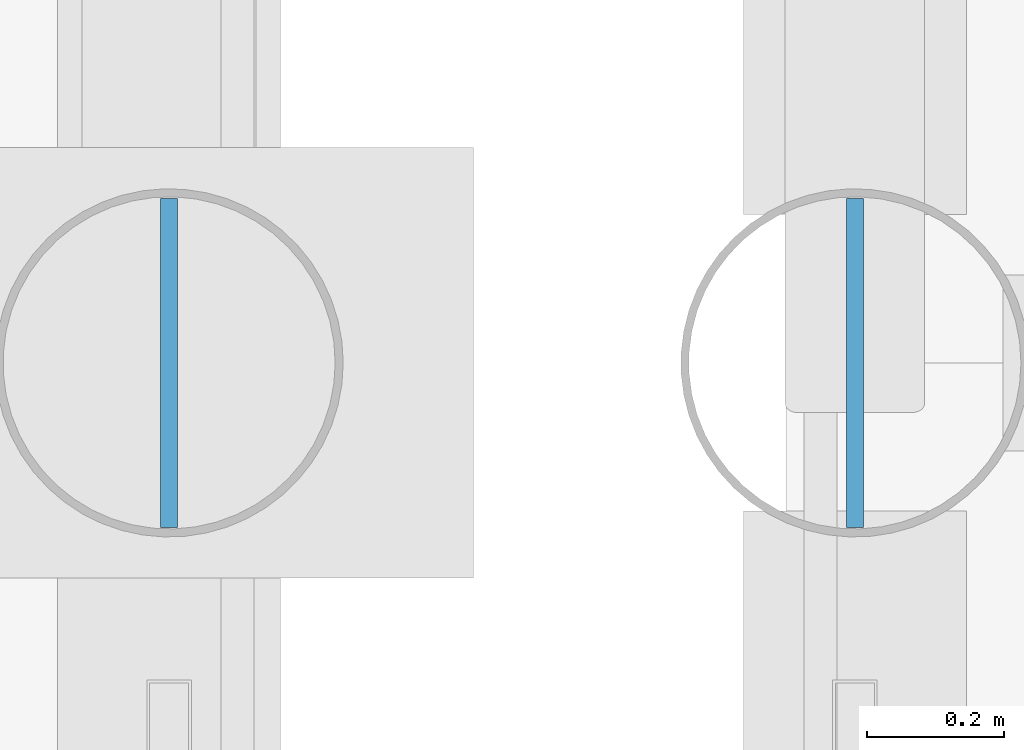
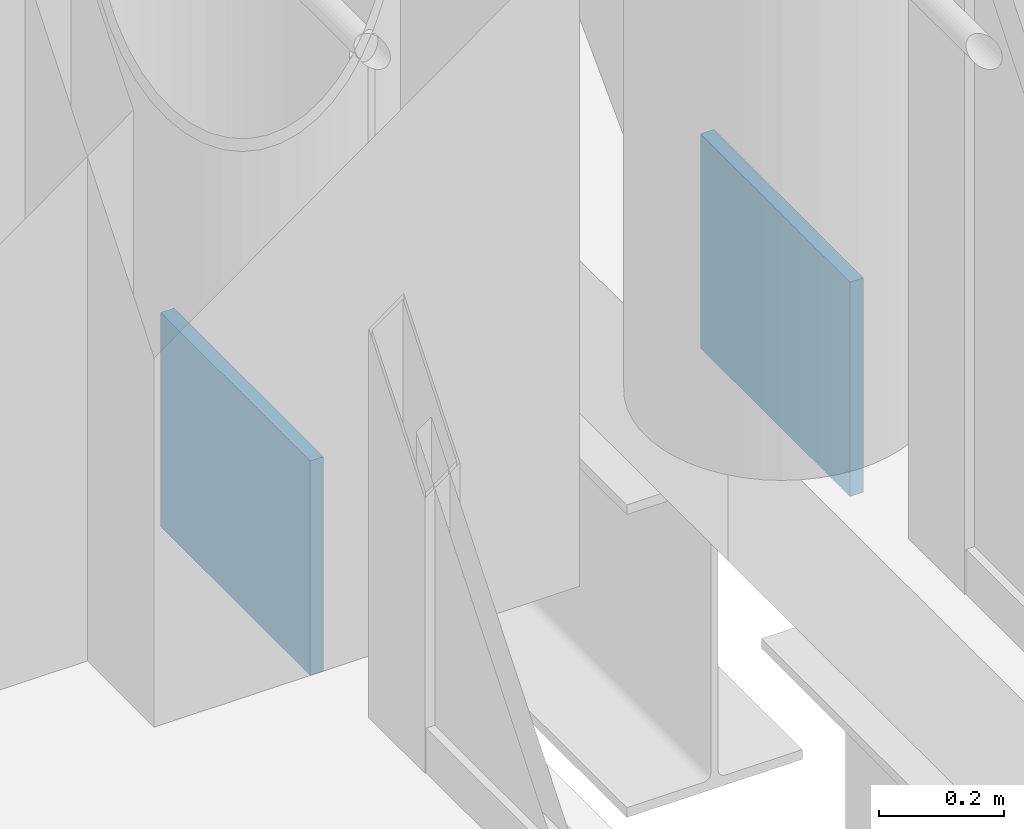
# One storey, part 113 of 156: 2 plates.
"""IFC4 building model written with IfcOpenShell, lengths in metres."""

import ifcopenshell
import ifcopenshell.guid

model = None  # the IFC model being written
_history = None  # IfcOwnerHistory: only IFC2X3 demands one
_inside = {}  # id of a spatial element -> (the spatial element, [elements in it])
_under = {}  # id of a project, library or spatial element -> (it, [spatial elements below it])
_declared = {}  # id of a project -> (the project, [libraries it declares])
_typed = {}  # id of a type object -> (the type object, [elements of that type])
_made_of = {}  # id of a material, layer set ... -> (it, [elements and type objects made of it])


def new_model(schema):
    """Start an empty IFC model of exactly this schema.

    Asked for "IFC4X3", IfcOpenShell would pick the latest addendum, in which some entities
    have other attributes; the version numbers below select the first issue.
    IFC2X3 requires an IfcOwnerHistory on every rooted entity: one is made here for all.
    """
    global model, _history
    if schema == "IFC4X3":
        model = ifcopenshell.file(schema_version=(4, 3, 0, 0))
    else:
        model = ifcopenshell.file(schema=schema)
    _inside.clear()
    _under.clear()
    _declared.clear()
    _typed.clear()
    _made_of.clear()
    _history = None
    if model.schema == "IFC2X3":
        org = make("IfcOrganization", Name="unknown")
        user = make(
            "IfcPersonAndOrganization",
            ThePerson=make("IfcPerson", FamilyName="unknown"),
            TheOrganization=org,
        )
        app = make(
            "IfcApplication",
            ApplicationDeveloper=org,
            Version="unknown",
            ApplicationFullName="unknown",
            ApplicationIdentifier="unknown",
        )
        _history = make(
            "IfcOwnerHistory",
            OwningUser=user,
            OwningApplication=app,
            ChangeAction="ADDED",
            CreationDate=0,
        )
    return model


def make(cls, **values):
    """One entity of the class cls with the attributes given. An attribute that is None is left unset."""
    return model.create_entity(
        cls, **{name: value for name, value in values.items() if value is not None}
    )


def rooted(cls, **values):
    """An entity with a GlobalId (a new one), such as an element, a storey or a relation."""
    return make(cls, GlobalId=ifcopenshell.guid.new(), OwnerHistory=_history, **values)


def si_unit(unit_type, name, prefix=None):
    """IfcSIUnit, for example si_unit("LENGTHUNIT", "METRE", prefix="MILLI")."""
    return make("IfcSIUnit", UnitType=unit_type, Prefix=prefix, Name=name)


def assignment(units):
    """IfcUnitAssignment: the units of a project."""
    return None if units is None else make("IfcUnitAssignment", Units=units)


def point(xyz):
    """IfcCartesianPoint."""
    return None if xyz is None else make("IfcCartesianPoint", Coordinates=xyz)


def direction(xyz):
    """IfcDirection."""
    return None if xyz is None else make("IfcDirection", DirectionRatios=xyz)


def frame(location, z_axis=None, x_axis=None):
    """IfcAxis2Placement3D, a coordinate frame: its origin and axes. An axis left out is left unset."""
    return make(
        "IfcAxis2Placement3D",
        Location=point(location),
        Axis=direction(z_axis),
        RefDirection=direction(x_axis),
    )


def frame_2d(location, x_axis=None):
    """IfcAxis2Placement2D, a coordinate frame in the plane: its origin and x axis."""
    return make(
        "IfcAxis2Placement2D", Location=point(location), RefDirection=direction(x_axis)
    )


def origin():
    """The frame at (0, 0, 0) with its axes left unset."""
    return frame((0.0, 0.0, 0.0))


def origin_2d():
    """The frame at (0, 0) in the plane with its x axis left unset."""
    return frame_2d((0.0, 0.0))


def place(relative_to, where):
    """IfcLocalPlacement: puts the frame where relative to a parent placement (None: the world)."""
    return make(
        "IfcLocalPlacement", PlacementRelTo=relative_to, RelativePlacement=where
    )


def context(
    kind, dimensions, precision=None, world=None, true_north=None, identifier=None
):
    """IfcGeometricRepresentationContext, for example the 3D "Model" context."""
    return make(
        "IfcGeometricRepresentationContext",
        ContextIdentifier=identifier,
        ContextType=kind,
        CoordinateSpaceDimension=dimensions,
        Precision=precision,
        WorldCoordinateSystem=world,
        TrueNorth=true_north,
    )


def subcontext(parent, identifier, kind, view, scale=None):
    """IfcGeometricRepresentationSubContext, for example "Body" below "Model"."""
    return make(
        "IfcGeometricRepresentationSubContext",
        ContextIdentifier=identifier,
        ContextType=kind,
        ParentContext=parent,
        TargetScale=scale,
        TargetView=view,
    )


def project(units=None, contexts=None):
    """IfcProject with its units and contexts."""
    return rooted(
        "IfcProject",
        Name="project",
        RepresentationContexts=contexts,
        UnitsInContext=assignment(units),
    )


def spatial(cls, under=None, at=None, **own):
    """A site, building, storey or space (cls), placed at a placement, below another one or the project."""
    s = rooted(cls, ObjectPlacement=at, **own)
    if under is not None:
        _under.setdefault(under.id(), (under, []))[1].append(s)
    return s


def profile(cls, at=None, kind="AREA", **sizes):
    """A parametric profile (cls). Its sizes go by their IFC names, for example OverallWidth=200.0."""
    return make(cls, ProfileType=kind, Position=at, **sizes)


def rectangle(**sizes):
    """IfcRectangleProfileDef."""
    return profile("IfcRectangleProfileDef", **sizes)


def extrude(swept, where, along, depth):
    """IfcExtrudedAreaSolid: the profile swept, set in the frame where, extruded along a direction by depth."""
    return make(
        "IfcExtrudedAreaSolid",
        SweptArea=swept,
        Position=where,
        ExtrudedDirection=direction(along),
        Depth=depth,
    )


def shape(context_of_items, identifier, shape_type, items):
    """IfcShapeRepresentation: the items that make up one representation, for example the "Body"."""
    return make(
        "IfcShapeRepresentation",
        ContextOfItems=context_of_items,
        RepresentationIdentifier=identifier,
        RepresentationType=shape_type,
        Items=items,
    )


def material(Name=None, Category=None):
    """IfcMaterial."""
    return make("IfcMaterial", Name=Name, Category=Category)


def layer(
    of_material, thickness, ventilated=None, Name=None, Category=None, Priority=None
):
    """IfcMaterialLayer: one layer of a wall or slab, of a material (None: an air gap)."""
    return make(
        "IfcMaterialLayer",
        Material=of_material,
        LayerThickness=thickness,
        IsVentilated=ventilated,
        Name=Name,
        Category=Category,
        Priority=Priority,
    )


def layer_set(layers, Name=None):
    """IfcMaterialLayerSet."""
    return make("IfcMaterialLayerSet", MaterialLayers=layers, LayerSetName=Name)


def made_of(thing, what):
    """Note that an element or type object is made of a material, layer set ...; save() writes the relation."""
    if what is not None:
        _made_of.setdefault(what.id(), (what, []))[1].append(thing)
    return thing


def type_object(cls, material=None, **own):
    """A type object (cls), such as IfcWallType, which elements share."""
    return made_of(rooted(cls, **own), material)


def element(
    cls,
    number,
    at=None,
    inside=None,
    cuts=None,
    type_object=None,
    material=None,
    context=None,
    identifier="Body",
    shape_type=None,
    held_by="IfcProductDefinitionShape",
    body=None,
    shapes=None,
    **own,
):
    """One element of the class cls, such as IfcWall. Its Tag is "e" and its number.

    at: its placement. inside: the storey or other place that contains it. cuts: it is an
    opening in that element (IfcRelVoidsElement). A single representation is given by context,
    identifier, shape_type and body (its items); several are given by shapes. held_by: the class
    of the entity that holds the representations. save() writes the other relations.
    """
    e = rooted(cls, Tag="e%d" % number, ObjectPlacement=at, **own)
    if body is not None:
        shapes = [shape(context, identifier, shape_type, body)]
    if shapes is not None:
        e.Representation = make(held_by, Representations=shapes)
    if inside is not None:
        _inside.setdefault(inside.id(), (inside, []))[1].append(e)
    if cuts is not None:
        rooted(
            "IfcRelVoidsElement", RelatingBuildingElement=cuts, RelatedOpeningElement=e
        )
    if type_object is not None:
        _typed.setdefault(type_object.id(), (type_object, []))[1].append(e)
    return made_of(e, material)


def aggregate(whole, parts):
    """IfcRelAggregates: a whole, such as a stair, and the parts it consists of."""
    return rooted("IfcRelAggregates", RelatingObject=whole, RelatedObjects=parts)


def save(model, path):
    """Write the relations noted so far, then the file.

    IfcRelAggregates (storeys below a building ...), IfcRelContainedInSpatialStructure (elements
    in a storey), IfcRelDefinesByType, IfcRelAssociatesMaterial and IfcRelDeclares: one each for
    every whole, place, type object, material and project.
    """
    for whole, parts in _under.values():
        aggregate(whole, parts)
    for where, things in _inside.values():
        rooted(
            "IfcRelContainedInSpatialStructure",
            RelatedElements=things,
            RelatingStructure=where,
        )
    for kind, things in _typed.values():
        rooted("IfcRelDefinesByType", RelatedObjects=things, RelatingType=kind)
    for what, things in _made_of.values():
        rooted("IfcRelAssociatesMaterial", RelatedObjects=things, RelatingMaterial=what)
    for by, libraries in _declared.values():
        rooted("IfcRelDeclares", RelatingContext=by, RelatedDefinitions=libraries)
    model.write(path)


model = new_model("IFC4")

# Units and contexts
model_context = context("Model", 3, precision=1e-05, world=origin(), true_north=direction((0.0, 1.0)))
body_context = subcontext(model_context, "Body", "Model", "MODEL_VIEW")
ifc_project = project(units=[si_unit("LENGTHUNIT", "METRE"), si_unit("AREAUNIT", "SQUARE_METRE"), si_unit("VOLUMEUNIT", "CUBIC_METRE"), si_unit("PLANEANGLEUNIT", "RADIAN"), si_unit("MASSUNIT", "GRAM", prefix="KILO")], contexts=[model_context])

# Site, building, storey
site_placement = place(None, origin())
site = spatial("IfcSite", under=ifc_project, at=site_placement, CompositionType="ELEMENT")
building_placement = place(site_placement, origin())
building = spatial("IfcBuilding", under=site, at=building_placement, Name="Caurita Quay Ferry Terminal", CompositionType="ELEMENT")
storey_placement = place(building_placement, frame((0.0, 0.0, 5.39990234375)))
storey = spatial("IfcBuildingStorey", under=building, at=storey_placement, Name="L01", CompositionType="ELEMENT", Elevation=5.39990234375)

# Plates
ifc_material = material(Name="Structural plate steel ASTM A572 Gr. 50", Category="steel")
ifc_layer = layer(ifc_material, 0.01806640625, Name="Structural steel connection plate 18 mm")
ifc_layer_set = layer_set([ifc_layer], Name="Structural plate steel ASTM A572 Gr. 50")
plate_type = type_object("IfcPlateType", Name="PLT-STL-18", PredefinedType="USERDEFINED", material=ifc_layer_set)
for number, where, z_axis, x_axis, name in (
    (1, (87.60009765625, 62.699951171875, -0.059814453125), (0.0, 0.0, 1.0), (0.0, 1.0, 0.0), "L01 Seismic Brace Gusset 12-BSL"),
    (2, (88.60009765625, 62.699951171875, -0.059814453125), (0.0, 0.0, 1.0), (0.0, 1.0, 0.0), "L01 Seismic Brace Gusset 13-BSL"),
):
    element("IfcPlate", number, at=place(storey_placement, frame(where, z_axis=z_axis, x_axis=x_axis)), inside=storey, type_object=plate_type, Name=name, ObjectType="GUSSET PLATE", PredefinedType="USERDEFINED", context=body_context, shape_type="SweptSolid", body=[
        extrude(rectangle(XDim=0.47998046875, YDim=0.02490234375, at=origin_2d()), origin(), (0.0, 0.0, 1.0), 0.419921875),
    ])

save(model, "model.ifc")
